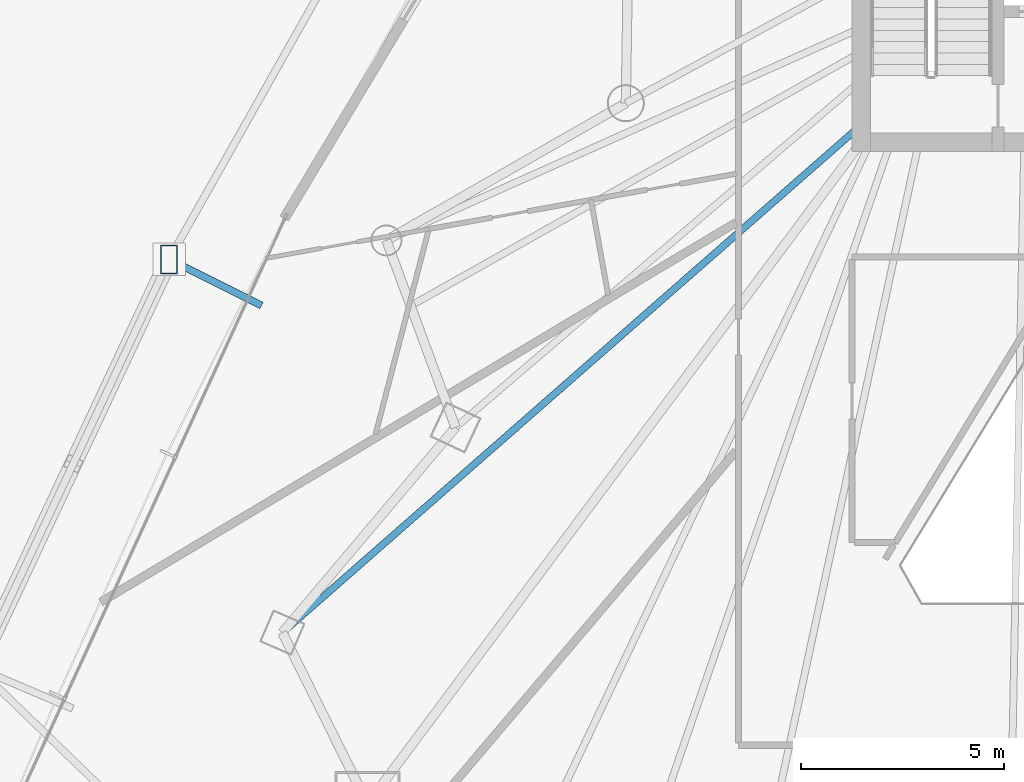
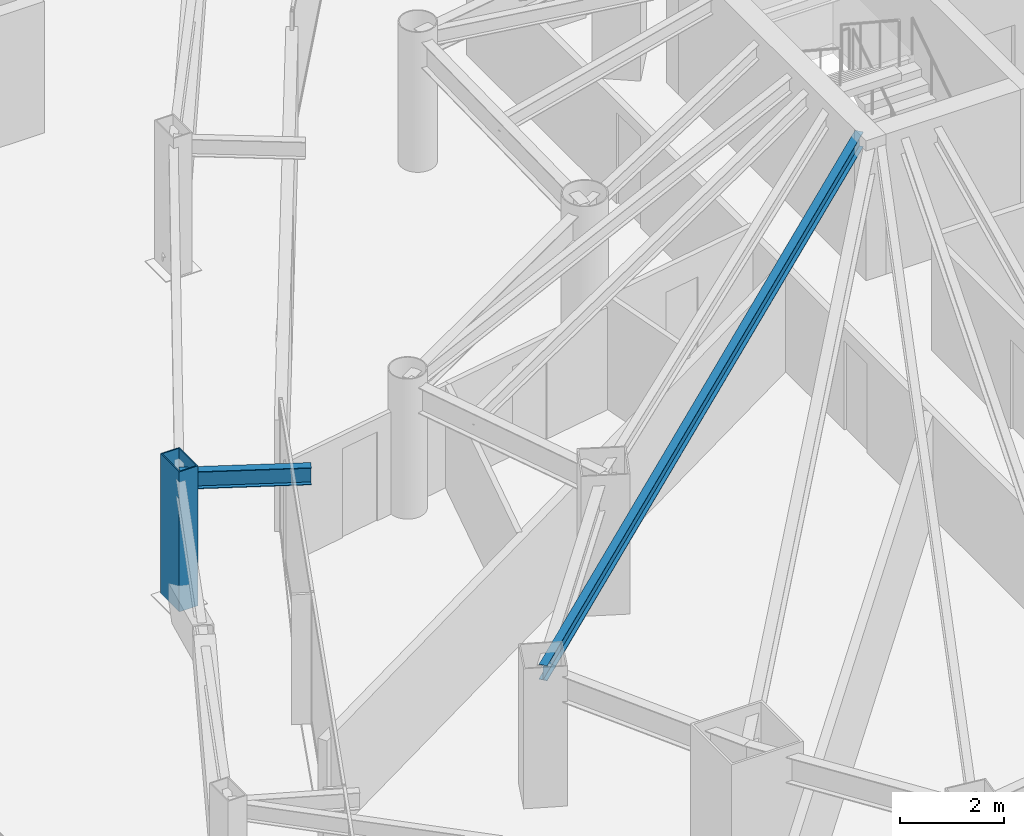
# One storey, part 9 of 36: 2 beams, 1 member.
"""IFC4 building model written with IfcOpenShell, lengths in metres."""

from ifc_helpers import new_model, si_unit, direction, frame, origin, origin_2d, place, context, subcontext, project, spatial, hollow_rectangle, i_section, extrude, material, material_profile, profile_set, type_object, element, save


model = new_model("IFC4")

# Units and contexts
model_context = context("Model", 3, precision=1e-05, world=origin(), true_north=direction((0.0, 1.0)))
body_context = subcontext(model_context, "Body", "Model", "MODEL_VIEW")
ifc_project = project(units=[si_unit("LENGTHUNIT", "METRE"), si_unit("AREAUNIT", "SQUARE_METRE"), si_unit("VOLUMEUNIT", "CUBIC_METRE"), si_unit("PLANEANGLEUNIT", "RADIAN"), si_unit("MASSUNIT", "GRAM", prefix="KILO")], contexts=[model_context])

# Site, building, storey
site_placement = place(None, origin())
site = spatial("IfcSite", under=ifc_project, at=site_placement, CompositionType="ELEMENT")
building_placement = place(site_placement, origin())
building = spatial("IfcBuilding", under=site, at=building_placement, Name="Orvanel Arch Residences", CompositionType="ELEMENT")
storey_placement = place(building_placement, frame((0.0, 0.0, 23.60009765625)))
storey = spatial("IfcBuildingStorey", under=building, at=storey_placement, Name="L05", CompositionType="ELEMENT", Elevation=23.60009765625)

# Beam
ifc_material_1 = material(Name="Structural steel AS/NZS 3679.1 Grade 300 (300 MPa)", Category="steel")
ifc_material_profile_1 = material_profile(ifc_material_1, i_section(OverallWidth=0.1708984375, OverallDepth=0.35595703125, WebThickness=0.00732421875, FlangeThickness=0.011474609375, at=origin_2d()), Name="360UB50.7")
ifc_profile_set_1 = profile_set([ifc_material_profile_1], Name="Structural steel AS/NZS 3679.1 Grade 300 (300 MPa)")
beam_type_1 = type_object("IfcBeamType", Name="BJ-360UB", PredefinedType="JOIST", material=ifc_profile_set_1)
beam_1_placement = place(storey_placement, frame((26.375, 27.10009765625, 2.8818359375), z_axis=(-0.751924114057, -0.659249669472, 0.0), x_axis=(0.659249669472, -0.751924114057, 0.0)))
element("IfcBeam", 1, at=beam_1_placement, inside=storey, type_object=beam_type_1, Name="L05 MW Wing Floor Joist", PredefinedType="JOIST", context=body_context, shape_type="SweptSolid", body=[
    extrude(i_section(OverallWidth=0.1708984375, OverallDepth=0.35595703125, WebThickness=0.00732421875, FlangeThickness=0.011474609375, at=origin_2d()), origin(), (0.0, 0.0, 1.0), 18.9912109375),
])

# Member
ifc_material_2 = material(Name="Structural steel AS/NZS 3678 Grade 350", Category="steel")
ifc_material_profile_2 = material_profile(ifc_material_2, hollow_rectangle(XDim=0.419921875, YDim=0.719970703125, WallThickness=0.02490234375, at=origin_2d()), Name="RHS720x420x25")
ifc_profile_set_2 = profile_set([ifc_material_profile_2], Name="Structural steel AS/NZS 3678 Grade 350")
member_type = type_object("IfcMemberType", Name="CH-720RHS-EXT", PredefinedType="CHORD", material=ifc_profile_set_2)
member_placement = place(storey_placement, frame((9.300048828125, 23.787109375, 0.0), z_axis=(0.0, 0.0, 1.0), x_axis=(1.0, 0.0, 0.0)))
element("IfcMember", 2, at=member_placement, inside=storey, type_object=member_type, Name="L05 Outer Perimeter Frame Post 03", PredefinedType="CHORD", context=body_context, shape_type="SweptSolid", body=[
    extrude(hollow_rectangle(XDim=0.419921875, YDim=0.719970703125, WallThickness=0.02490234375, at=origin_2d()), origin(), (0.0, 0.0, 1.0), 3.2998046875),
])

# Beam
ifc_material_profile_3 = material_profile(ifc_material_1, i_section(OverallWidth=0.177978515625, OverallDepth=0.406005859375, WebThickness=0.0078125, FlangeThickness=0.0126953125, at=origin_2d()), Name="410UB59.7")
ifc_profile_set_3 = profile_set([ifc_material_profile_3], Name="Structural steel AS/NZS 3679.1 Grade 300 (300 MPa)")
beam_type_2 = type_object("IfcBeamType", Name="OB-410UB-EXT", PredefinedType="SPANDREL", material=ifc_profile_set_3)
beam_2_placement = place(storey_placement, frame((11.58203125, 22.64990234375, 2.85693359375), z_axis=(-0.895020082623, 0.446025841966, 0.0), x_axis=(-0.446025841966, -0.895020082623, 0.0)))
element("IfcBeam", 3, at=beam_2_placement, inside=storey, type_object=beam_type_2, Name="L05 Outer Frame Radial Tie Beam 03", PredefinedType="SPANDREL", context=body_context, shape_type="SweptSolid", body=[
    extrude(i_section(OverallWidth=0.177978515625, OverallDepth=0.406005859375, WebThickness=0.0078125, FlangeThickness=0.0126953125, at=origin_2d()), origin(), (0.0, 0.0, 1.0), 2.549560546875),
])

save(model, "model.ifc")
